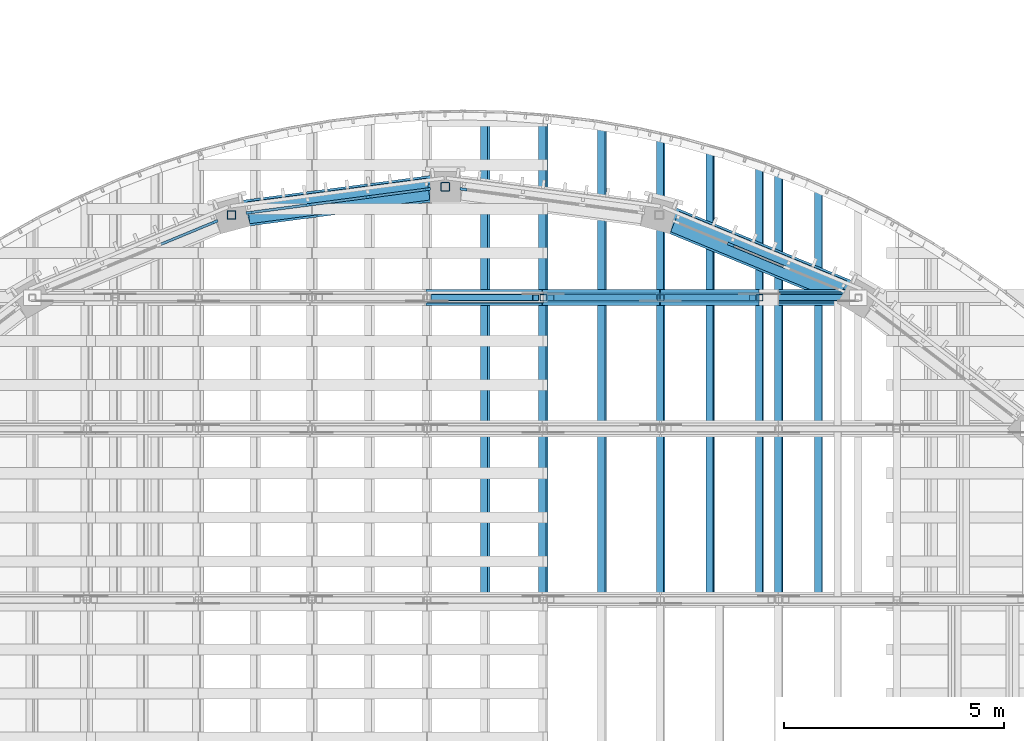
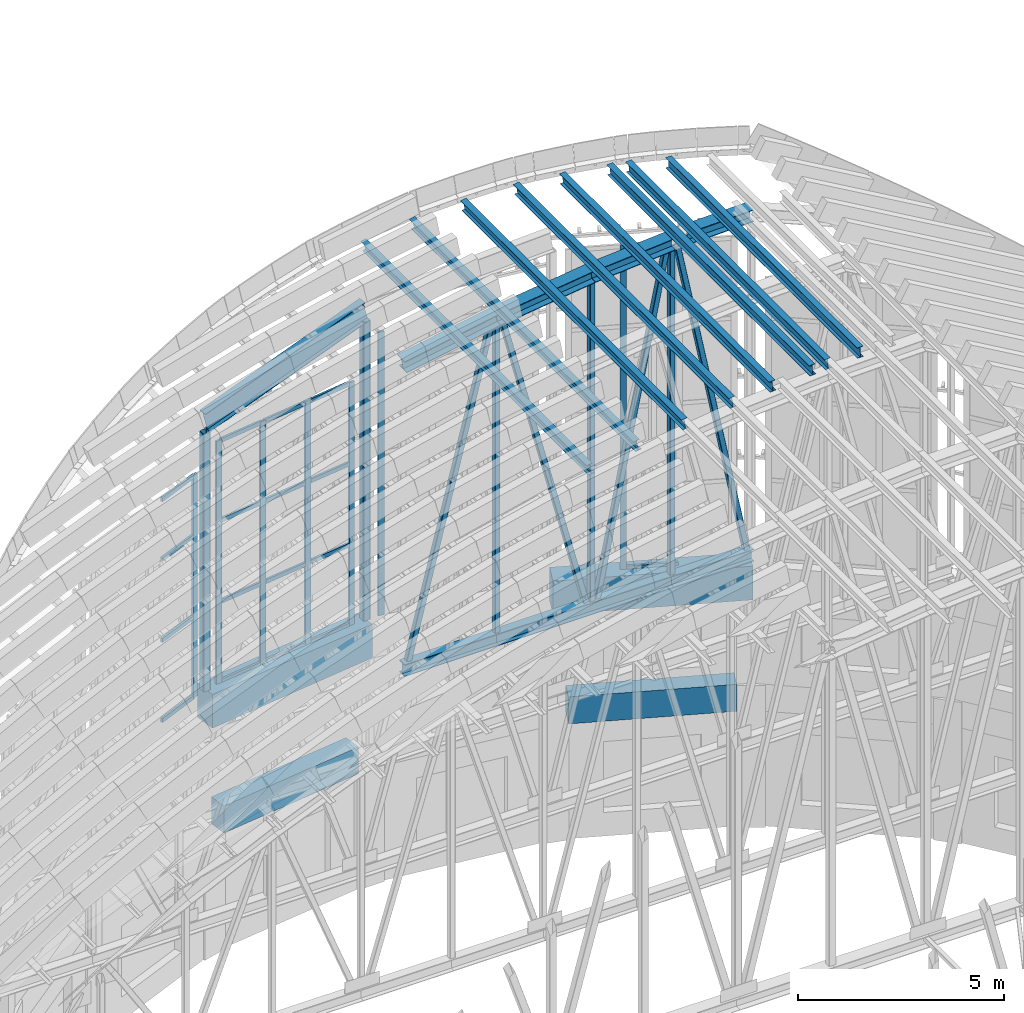
# One storey, part 33 of 105: 48 members, 5 beams, 4 elements without a shape of their own.
"""IFC4 building model written with IfcOpenShell, lengths in metres."""

from ifc_helpers import new_model, si_unit, direction, frame, origin, origin_2d, place, context, subcontext, project, spatial, rectangle, hollow_rectangle, i_section, extrude, material, layer, layer_set, material_profile, profile_set, type_object, element, aggregate, save


model = new_model("IFC4")

# Units and contexts
model_context = context("Model", 3, precision=1e-05, world=origin(), true_north=direction((0.0, 1.0)))
body_context = subcontext(model_context, "Body", "Model", "MODEL_VIEW")
ifc_project = project(units=[si_unit("LENGTHUNIT", "METRE"), si_unit("AREAUNIT", "SQUARE_METRE"), si_unit("VOLUMEUNIT", "CUBIC_METRE"), si_unit("PLANEANGLEUNIT", "RADIAN"), si_unit("MASSUNIT", "GRAM", prefix="KILO")], contexts=[model_context])

# Site, building, storey
site_placement = place(None, origin())
site = spatial("IfcSite", under=ifc_project, at=site_placement, CompositionType="ELEMENT")
building_placement = place(site_placement, origin())
building = spatial("IfcBuilding", under=site, at=building_placement, Name="Wasatch Bagh Community Centre", CompositionType="ELEMENT")
storey_placement = place(building_placement, frame((0.0, 0.0, 16.800048828125)))
storey = spatial("IfcBuildingStorey", under=building, at=storey_placement, Name="L04", CompositionType="ELEMENT", Elevation=16.800048828125)

# Members
ifc_material_1 = material(Name="ASTM A500 Grade C steel", Category="steel")
ifc_material_profile_1 = material_profile(ifc_material_1, hollow_rectangle(XDim=0.15234375, YDim=0.15234375, WallThickness=0.0087890625, InnerFilletRadius=0.0087890625, OuterFilletRadius=0.017822265625, at=origin_2d()), Name="HSS6x6x3/8")
ifc_profile_set_1 = profile_set([ifc_material_profile_1], Name="ASTM A500 Grade C steel")
member_type_1 = type_object("IfcMemberType", Name="HSS6x6x3/8 brace", PredefinedType="BRACE", material=ifc_profile_set_1)
member_1_placement = place(storey_placement, frame((35.75146484375, 81.238037109375, 8.08984375), z_axis=(0.246183437519, 0.0, 0.969223253483), x_axis=(0.0, 1.0, 0.0)))
element("IfcMember", 1, at=member_1_placement, inside=storey, type_object=member_type_1, Name="MH.TN4.WB05", PredefinedType="BRACE", context=body_context, shape_type="SweptSolid", body=[
    extrude(hollow_rectangle(XDim=0.15234375, YDim=0.15234375, WallThickness=0.0087890625, InnerFilletRadius=0.0087890625, OuterFilletRadius=0.017822265625, at=origin_2d()), origin(), (0.0, 0.0, 1.0), 9.349853515625),
])
member_2_placement = place(storey_placement, frame((40.722412109375, 81.238037109375, 8.08984375), z_axis=(-0.247331546252, 0.0, 0.968930908904), x_axis=(0.0, -1.0, 0.0)))
element("IfcMember", 2, at=member_2_placement, inside=storey, type_object=member_type_1, Name="MH.TN4.WB06", PredefinedType="BRACE", context=body_context, shape_type="SweptSolid", body=[
    extrude(hollow_rectangle(XDim=0.15234375, YDim=0.15234375, WallThickness=0.0087890625, InnerFilletRadius=0.0087890625, OuterFilletRadius=0.017822265625, at=origin_2d()), origin(), (0.0, 0.0, 1.0), 9.4326171875),
])
member_3_placement = place(storey_placement, frame((41.043701171875, 81.238037109375, 8.0859375), z_axis=(0.196872033008, 0.0, 0.980429193068), x_axis=(0.0, 1.0, 0.0)))
element("IfcMember", 3, at=member_3_placement, inside=storey, type_object=member_type_1, Name="MH.TN4.WB07", PredefinedType="BRACE", context=body_context, shape_type="SweptSolid", body=[
    extrude(hollow_rectangle(XDim=0.15234375, YDim=0.15234375, WallThickness=0.0087890625, InnerFilletRadius=0.0087890625, OuterFilletRadius=0.017822265625, at=origin_2d()), origin(), (0.0, 0.0, 1.0), 9.81298828125),
])
member_4_placement = place(storey_placement, frame((45.220458984375, 81.238037109375, 8.0859375), z_axis=(-0.196530864384, 0.0, 0.980497638622), x_axis=(0.0, -1.0, 0.0)))
element("IfcMember", 4, at=member_4_placement, inside=storey, type_object=member_type_1, Name="MH.TN4.WB08", PredefinedType="BRACE", context=body_context, shape_type="SweptSolid", body=[
    extrude(hollow_rectangle(XDim=0.15234375, YDim=0.15234375, WallThickness=0.0087890625, InnerFilletRadius=0.0087890625, OuterFilletRadius=0.017822265625, at=origin_2d()), origin(), (0.0, 0.0, 1.0), 9.8486328125),
])
ifc_material_profile_2 = material_profile(ifc_material_1, hollow_rectangle(XDim=0.15234375, YDim=0.15234375, WallThickness=0.0087890625, InnerFilletRadius=0.0087890625, OuterFilletRadius=0.017822265625, at=origin_2d()), Name="HSS6x6x3/8")
ifc_profile_set_2 = profile_set([ifc_material_profile_2], Name="ASTM A500 Grade C steel")
member_type_2 = type_object("IfcMemberType", Name="HSS6x6x3/8 post", PredefinedType="POST", material=ifc_profile_set_2)
member_5_placement = place(storey_placement, frame((38.226318359375, 81.238037109375, 8.070556640625), z_axis=(0.0, 0.0, 1.0), x_axis=(1.0, 0.0, 0.0)))
element("IfcMember", 5, at=member_5_placement, inside=storey, type_object=member_type_2, Name="MH.TN4.PS06", PredefinedType="POST", context=body_context, shape_type="SweptSolid", body=[
    extrude(hollow_rectangle(XDim=0.15234375, YDim=0.15234375, WallThickness=0.0087890625, InnerFilletRadius=0.0087890625, OuterFilletRadius=0.017822265625, at=origin_2d()), origin(), (0.0, 0.0, 1.0), 9.13134765625),
])
member_6_placement = place(storey_placement, frame((40.88916015625, 81.238037109375, 8.070556640625), z_axis=(0.0, 0.0, 1.0), x_axis=(1.0, 0.0, 0.0)))
element("IfcMember", 6, at=member_6_placement, inside=storey, type_object=member_type_2, Name="MH.TN4.PS07", PredefinedType="POST", context=body_context, shape_type="SweptSolid", body=[
    extrude(hollow_rectangle(XDim=0.15234375, YDim=0.15234375, WallThickness=0.0087890625, InnerFilletRadius=0.0087890625, OuterFilletRadius=0.017822265625, at=origin_2d()), origin(), (0.0, 0.0, 1.0), 9.48388671875),
])
member_7_placement = place(storey_placement, frame((43.132080078125, 81.238037109375, 8.070556640625), z_axis=(0.0, 0.0, 1.0), x_axis=(1.0, 0.0, 0.0)))
element("IfcMember", 7, at=member_7_placement, inside=storey, type_object=member_type_2, Name="MH.TN4.PS08", PredefinedType="POST", context=body_context, shape_type="SweptSolid", body=[
    extrude(hollow_rectangle(XDim=0.15234375, YDim=0.15234375, WallThickness=0.0087890625, InnerFilletRadius=0.0087890625, OuterFilletRadius=0.017822265625, at=origin_2d()), origin(), (0.0, 0.0, 1.0), 9.663330078125),
])
ifc_material_profile_3 = material_profile(ifc_material_1, hollow_rectangle(XDim=0.203125, YDim=0.203125, WallThickness=0.01171875, InnerFilletRadius=0.01171875, OuterFilletRadius=0.023681640625, at=origin_2d()), Name="HSS8x8x1/2")
ifc_profile_set_3 = profile_set([ifc_material_profile_3], Name="ASTM A500 Grade C steel")
member_type_3 = type_object("IfcMemberType", Name="HSS8x8x1/2 post", PredefinedType="POST", material=ifc_profile_set_3)
member_8_placement = place(storey_placement, frame((36.0, 83.75, 7.699951171875), z_axis=(0.0, 0.0, 1.0), x_axis=(1.0, 0.0, 0.0)))
element("IfcMember", 8, at=member_8_placement, inside=storey, type_object=member_type_3, Name="MH.TN.PS.N6", PredefinedType="POST", context=body_context, shape_type="SweptSolid", body=[
    extrude(hollow_rectangle(XDim=0.203125, YDim=0.203125, WallThickness=0.01171875, InnerFilletRadius=0.01171875, OuterFilletRadius=0.023681640625, at=origin_2d()), origin(), (0.0, 0.0, 1.0), 8.860107421875),
])
member_9_placement = place(storey_placement, frame((31.147216796875, 83.111083984375, 7.699951171875), z_axis=(0.0, 0.0, 1.0), x_axis=(1.0, 0.0, 0.0)))
element("IfcMember", 9, at=member_9_placement, inside=storey, type_object=member_type_3, Name="MH.TN.PS.N7", PredefinedType="POST", context=body_context, shape_type="SweptSolid", body=[
    extrude(hollow_rectangle(XDim=0.203125, YDim=0.203125, WallThickness=0.01171875, InnerFilletRadius=0.01171875, OuterFilletRadius=0.023681640625, at=origin_2d()), origin(), (0.0, 0.0, 1.0), 7.63330078125),
])

# Curtain wall, member
ifc_material_2 = material(Name="Aluminium curtain wall frame with low-iron glass", Category="aluminium")
ifc_layer_1 = layer(ifc_material_2, 0.10009765625)
ifc_layer_set_1 = layer_set([ifc_layer_1], Name="Aluminium curtain wall frame with low-iron glass")
curtain_wall_type_1 = type_object("IfcCurtainWallType", Name="MH end screen curtain wall 8", PredefinedType="NOTDEFINED", material=ifc_layer_set_1)
curtain_wall_1_placement = place(storey_placement, origin())
curtain_wall_1 = element("IfcCurtainWall", 10, at=curtain_wall_1_placement, inside=storey, type_object=curtain_wall_type_1, Name="End screen 23", PredefinedType="NOTDEFINED")
ifc_material_3 = material(Name="Aluminium extrusion", Category="aluminium")
ifc_material_profile_4 = material_profile(ifc_material_3, rectangle(XDim=0.06005859375, YDim=0.159912109375, at=origin_2d()), Name="AL 60x160")
ifc_profile_set_4 = profile_set([ifc_material_profile_4], Name="Aluminium extrusion")
member_type_4 = type_object("IfcMemberType", Name="MH end screen mullion 60x160", PredefinedType="MULLION", material=ifc_profile_set_4)
member_10_placement = place(storey_placement, frame((42.479248046875, 82.4375, 7.699951171875), z_axis=(0.0, 0.0, 1.0), x_axis=(-0.382683432188, -0.923879532585, 0.0)))
member_10 = element("IfcMember", 11, at=member_10_placement, type_object=member_type_4, Name="MH-CW8 mullion 3", PredefinedType="MULLION", context=body_context, shape_type="SweptSolid", body=[
    extrude(rectangle(XDim=0.06005859375, YDim=0.159912109375, at=origin_2d()), origin(), (0.0, 0.0, 1.0), 9.60009765625),
])

ifc_layer_2 = layer(ifc_material_2, 0.10009765625)
ifc_layer_set_2 = layer_set([ifc_layer_2], Name="Aluminium curtain wall frame with low-iron glass")
curtain_wall_type_2 = type_object("IfcCurtainWallType", Name="MH end screen curtain wall 7", PredefinedType="NOTDEFINED", material=ifc_layer_set_2)
curtain_wall_2_placement = place(storey_placement, origin())
curtain_wall_2 = element("IfcCurtainWall", 12, at=curtain_wall_2_placement, inside=storey, type_object=curtain_wall_type_2, Name="End screen 24", PredefinedType="NOTDEFINED")
member_11_placement = place(storey_placement, frame((36.412841796875, 83.695556640625, 7.699951171875), z_axis=(0.0, 0.0, 1.0), x_axis=(-0.13052619222, -0.991444861374, 0.0)))
member_11 = element("IfcMember", 13, at=member_11_placement, type_object=member_type_4, Name="MH-CW7 mullion 4", PredefinedType="MULLION", context=body_context, shape_type="SweptSolid", body=[
    extrude(rectangle(XDim=0.06005859375, YDim=0.159912109375, at=origin_2d()), origin(), (0.0, 0.0, 1.0), 8.39990234375),
])
aggregate(curtain_wall_2, [member_11])

# Curtain wall, members
ifc_layer_3 = layer(ifc_material_2, 0.10009765625)
ifc_layer_set_3 = layer_set([ifc_layer_3], Name="Aluminium curtain wall frame with low-iron glass")
curtain_wall_type_3 = type_object("IfcCurtainWallType", Name="MH end screen curtain wall 6", PredefinedType="NOTDEFINED", material=ifc_layer_set_3)
curtain_wall_3_placement = place(storey_placement, origin())
curtain_wall_3 = element("IfcCurtainWall", 14, at=curtain_wall_3_placement, inside=storey, type_object=curtain_wall_type_3, Name="End screen 25", PredefinedType="NOTDEFINED")
member_12_placement = place(storey_placement, frame((35.587158203125, 83.695556640625, 7.699951171875), z_axis=(0.0, 0.0, 1.0), x_axis=(0.13052619222, -0.991444861374, 0.0)))
member_12 = element("IfcMember", 15, at=member_12_placement, type_object=member_type_4, Name="MH-CW6 mullion 1", PredefinedType="MULLION", context=body_context, shape_type="SweptSolid", body=[
    extrude(rectangle(XDim=0.06005859375, YDim=0.159912109375, at=origin_2d()), origin(), (0.0, 0.0, 1.0), 7.199951171875),
])
member_13_placement = place(storey_placement, frame((34.254638671875, 83.520263671875, 7.699951171875), z_axis=(0.0, 0.0, 1.0), x_axis=(0.13052619222, -0.991444861374, 0.0)))
member_13 = element("IfcMember", 16, at=member_13_placement, type_object=member_type_4, Name="MH-CW6 mullion 2", PredefinedType="MULLION", context=body_context, shape_type="SweptSolid", body=[
    extrude(rectangle(XDim=0.06005859375, YDim=0.159912109375, at=origin_2d()), origin(), (0.0, 0.0, 1.0), 7.199951171875),
])
member_14_placement = place(storey_placement, frame((32.892578125, 83.3408203125, 7.699951171875), z_axis=(0.0, 0.0, 1.0), x_axis=(0.13052619222, -0.991444861374, 0.0)))
member_14 = element("IfcMember", 17, at=member_14_placement, type_object=member_type_4, Name="MH-CW6 mullion 3", PredefinedType="MULLION", context=body_context, shape_type="SweptSolid", body=[
    extrude(rectangle(XDim=0.06005859375, YDim=0.159912109375, at=origin_2d()), origin(), (0.0, 0.0, 1.0), 7.199951171875),
])
member_15_placement = place(storey_placement, frame((31.56005859375, 83.16552734375, 7.699951171875), z_axis=(0.0, 0.0, 1.0), x_axis=(0.13052619222, -0.991444861374, 0.0)))
member_15 = element("IfcMember", 18, at=member_15_placement, type_object=member_type_4, Name="MH-CW6 mullion 4", PredefinedType="MULLION", context=body_context, shape_type="SweptSolid", body=[
    extrude(rectangle(XDim=0.06005859375, YDim=0.159912109375, at=origin_2d()), origin(), (0.0, 0.0, 1.0), 7.199951171875),
])

# Curtain wall, member
ifc_layer_4 = layer(ifc_material_2, 0.10009765625)
ifc_layer_set_4 = layer_set([ifc_layer_4], Name="Aluminium curtain wall frame with low-iron glass")
curtain_wall_type_4 = type_object("IfcCurtainWallType", Name="MH end screen curtain wall 5", PredefinedType="NOTDEFINED", material=ifc_layer_set_4)
curtain_wall_4_placement = place(storey_placement, origin())
curtain_wall_4 = element("IfcCurtainWall", 19, at=curtain_wall_4_placement, inside=storey, type_object=curtain_wall_type_4, Name="End screen 26", PredefinedType="NOTDEFINED")
member_16_placement = place(storey_placement, frame((30.762451171875, 82.95166015625, 7.699951171875), z_axis=(0.0, 0.0, 1.0), x_axis=(0.382683432188, -0.923879532585, 0.0)))
member_16 = element("IfcMember", 20, at=member_16_placement, type_object=member_type_4, Name="MH-CW5 mullion 1", PredefinedType="MULLION", context=body_context, shape_type="SweptSolid", body=[
    extrude(rectangle(XDim=0.06005859375, YDim=0.159912109375, at=origin_2d()), origin(), (0.0, 0.0, 1.0), 6.60009765625),
])

# Member
ifc_material_profile_5 = material_profile(ifc_material_3, rectangle(XDim=0.06005859375, YDim=0.1201171875, at=origin_2d()), Name="AL 60x120")
ifc_profile_set_5 = profile_set([ifc_material_profile_5], Name="Aluminium extrusion")
member_type_5 = type_object("IfcMemberType", Name="MH end screen transom 60x120", PredefinedType="USERDEFINED", material=ifc_profile_set_5)
member_17_placement = place(storey_placement, frame((43.720947265625, 81.923095703125, 7.72998046875), z_axis=(-0.923844700065, 0.382767514508, 0.0), x_axis=(-0.382767514508, -0.923844700065, 0.0)))
member_17 = element("IfcMember", 21, at=member_17_placement, type_object=member_type_5, Name="MH-CW8 transom 2.1", ObjectType="TRANSOM", PredefinedType="USERDEFINED", context=body_context, shape_type="SweptSolid", body=[
    extrude(rectangle(XDim=0.06005859375, YDim=0.1201171875, at=origin_2d()), origin(), (0.0, 0.0, 1.0), 1.31396484375),
])

aggregate(curtain_wall_1, [member_10, member_17])

member_18_placement = place(storey_placement, frame((35.557373046875, 83.691650390625, 7.72998046875), z_axis=(-0.991455589929, -0.130444674855, 0.0), x_axis=(0.130444674855, -0.991455589929, 0.0)))
member_18 = element("IfcMember", 22, at=member_18_placement, type_object=member_type_5, Name="MH-CW6 transom 1.1", ObjectType="TRANSOM", PredefinedType="USERDEFINED", context=body_context, shape_type="SweptSolid", body=[
    extrude(rectangle(XDim=0.06005859375, YDim=0.1201171875, at=origin_2d()), origin(), (0.0, 0.0, 1.0), 1.283935546875),
])

member_19_placement = place(storey_placement, frame((35.557373046875, 83.691650390625, 10.099853515625), z_axis=(-0.991455589929, -0.130444674855, 0.0), x_axis=(0.130444674855, -0.991455589929, 0.0)))
member_19 = element("IfcMember", 23, at=member_19_placement, type_object=member_type_5, Name="MH-CW6 transom 1.2", ObjectType="TRANSOM", PredefinedType="USERDEFINED", context=body_context, shape_type="SweptSolid", body=[
    extrude(rectangle(XDim=0.06005859375, YDim=0.1201171875, at=origin_2d()), origin(), (0.0, 0.0, 1.0), 1.283935546875),
])

member_20_placement = place(storey_placement, frame((35.557373046875, 83.691650390625, 12.5), z_axis=(-0.991455589929, -0.130444674855, 0.0), x_axis=(0.130444674855, -0.991455589929, 0.0)))
member_20 = element("IfcMember", 24, at=member_20_placement, type_object=member_type_5, Name="MH-CW6 transom 1.3", ObjectType="TRANSOM", PredefinedType="USERDEFINED", context=body_context, shape_type="SweptSolid", body=[
    extrude(rectangle(XDim=0.06005859375, YDim=0.1201171875, at=origin_2d()), origin(), (0.0, 0.0, 1.0), 1.283935546875),
])

member_21_placement = place(storey_placement, frame((35.557373046875, 83.691650390625, 14.869873046875), z_axis=(-0.991455589929, -0.130444674855, 0.0), x_axis=(0.130444674855, -0.991455589929, 0.0)))
member_21 = element("IfcMember", 25, at=member_21_placement, type_object=member_type_5, Name="MH-CW6 transom 1.4", ObjectType="TRANSOM", PredefinedType="USERDEFINED", context=body_context, shape_type="SweptSolid", body=[
    extrude(rectangle(XDim=0.06005859375, YDim=0.1201171875, at=origin_2d()), origin(), (0.0, 0.0, 1.0), 1.283935546875),
])

member_22_placement = place(storey_placement, frame((34.224853515625, 83.516357421875, 7.72998046875), z_axis=(-0.991432780287, -0.130617924389, 0.0), x_axis=(0.130617924389, -0.991432780287, 0.0)))
member_22 = element("IfcMember", 26, at=member_22_placement, type_object=member_type_5, Name="MH-CW6 transom 2.1", ObjectType="TRANSOM", PredefinedType="USERDEFINED", context=body_context, shape_type="SweptSolid", body=[
    extrude(rectangle(XDim=0.06005859375, YDim=0.1201171875, at=origin_2d()), origin(), (0.0, 0.0, 1.0), 1.31396484375),
])

member_23_placement = place(storey_placement, frame((34.224853515625, 83.516357421875, 10.099853515625), z_axis=(-0.991432780287, -0.130617924389, 0.0), x_axis=(0.130617924389, -0.991432780287, 0.0)))
member_23 = element("IfcMember", 27, at=member_23_placement, type_object=member_type_5, Name="MH-CW6 transom 2.2", ObjectType="TRANSOM", PredefinedType="USERDEFINED", context=body_context, shape_type="SweptSolid", body=[
    extrude(rectangle(XDim=0.06005859375, YDim=0.1201171875, at=origin_2d()), origin(), (0.0, 0.0, 1.0), 1.31396484375),
])

member_24_placement = place(storey_placement, frame((34.224853515625, 83.516357421875, 12.5), z_axis=(-0.991432780287, -0.130617924389, 0.0), x_axis=(0.130617924389, -0.991432780287, 0.0)))
member_24 = element("IfcMember", 28, at=member_24_placement, type_object=member_type_5, Name="MH-CW6 transom 2.3", ObjectType="TRANSOM", PredefinedType="USERDEFINED", context=body_context, shape_type="SweptSolid", body=[
    extrude(rectangle(XDim=0.06005859375, YDim=0.1201171875, at=origin_2d()), origin(), (0.0, 0.0, 1.0), 1.31396484375),
])

member_25_placement = place(storey_placement, frame((34.224853515625, 83.516357421875, 14.869873046875), z_axis=(-0.991432780287, -0.130617924389, 0.0), x_axis=(0.130617924389, -0.991432780287, 0.0)))
member_25 = element("IfcMember", 29, at=member_25_placement, type_object=member_type_5, Name="MH-CW6 transom 2.4", ObjectType="TRANSOM", PredefinedType="USERDEFINED", context=body_context, shape_type="SweptSolid", body=[
    extrude(rectangle(XDim=0.06005859375, YDim=0.1201171875, at=origin_2d()), origin(), (0.0, 0.0, 1.0), 1.31396484375),
])

member_26_placement = place(storey_placement, frame((32.86279296875, 83.3369140625, 7.72998046875), z_axis=(-0.991455589929, -0.130444674855, 0.0), x_axis=(0.130444674855, -0.991455589929, 0.0)))
member_26 = element("IfcMember", 30, at=member_26_placement, type_object=member_type_5, Name="MH-CW6 transom 3.1", ObjectType="TRANSOM", PredefinedType="USERDEFINED", context=body_context, shape_type="SweptSolid", body=[
    extrude(rectangle(XDim=0.06005859375, YDim=0.1201171875, at=origin_2d()), origin(), (0.0, 0.0, 1.0), 1.283935546875),
])

member_27_placement = place(storey_placement, frame((32.86279296875, 83.3369140625, 10.099853515625), z_axis=(-0.991455589929, -0.130444674855, 0.0), x_axis=(0.130444674855, -0.991455589929, 0.0)))
member_27 = element("IfcMember", 31, at=member_27_placement, type_object=member_type_5, Name="MH-CW6 transom 3.2", ObjectType="TRANSOM", PredefinedType="USERDEFINED", context=body_context, shape_type="SweptSolid", body=[
    extrude(rectangle(XDim=0.06005859375, YDim=0.1201171875, at=origin_2d()), origin(), (0.0, 0.0, 1.0), 1.283935546875),
])

member_28_placement = place(storey_placement, frame((32.86279296875, 83.3369140625, 12.5), z_axis=(-0.991455589929, -0.130444674855, 0.0), x_axis=(0.130444674855, -0.991455589929, 0.0)))
member_28 = element("IfcMember", 32, at=member_28_placement, type_object=member_type_5, Name="MH-CW6 transom 3.3", ObjectType="TRANSOM", PredefinedType="USERDEFINED", context=body_context, shape_type="SweptSolid", body=[
    extrude(rectangle(XDim=0.06005859375, YDim=0.1201171875, at=origin_2d()), origin(), (0.0, 0.0, 1.0), 1.283935546875),
])

member_29_placement = place(storey_placement, frame((32.86279296875, 83.3369140625, 14.869873046875), z_axis=(-0.991455589929, -0.130444674855, 0.0), x_axis=(0.130444674855, -0.991455589929, 0.0)))
member_29 = element("IfcMember", 33, at=member_29_placement, type_object=member_type_5, Name="MH-CW6 transom 3.4", ObjectType="TRANSOM", PredefinedType="USERDEFINED", context=body_context, shape_type="SweptSolid", body=[
    extrude(rectangle(XDim=0.06005859375, YDim=0.1201171875, at=origin_2d()), origin(), (0.0, 0.0, 1.0), 1.283935546875),
])

aggregate(curtain_wall_3, [member_12, member_13, member_14, member_15, member_18, member_19, member_20, member_21, member_22, member_23, member_24, member_25, member_26, member_27, member_28, member_29])

member_30_placement = place(storey_placement, frame((30.734619140625, 82.940185546875, 7.72998046875), z_axis=(-0.923896306793, -0.382642933155, 0.0), x_axis=(0.382642933155, -0.923896306793, 0.0)))
member_30 = element("IfcMember", 34, at=member_30_placement, type_object=member_type_5, Name="MH-CW5 transom 1.1", ObjectType="TRANSOM", PredefinedType="USERDEFINED", context=body_context, shape_type="SweptSolid", body=[
    extrude(rectangle(XDim=0.06005859375, YDim=0.1201171875, at=origin_2d()), origin(), (0.0, 0.0, 1.0), 1.28369140625),
])

member_31_placement = place(storey_placement, frame((30.734619140625, 82.940185546875, 10.099853515625), z_axis=(-0.923896306793, -0.382642933155, 0.0), x_axis=(0.382642933155, -0.923896306793, 0.0)))
member_31 = element("IfcMember", 35, at=member_31_placement, type_object=member_type_5, Name="MH-CW5 transom 1.2", ObjectType="TRANSOM", PredefinedType="USERDEFINED", context=body_context, shape_type="SweptSolid", body=[
    extrude(rectangle(XDim=0.06005859375, YDim=0.1201171875, at=origin_2d()), origin(), (0.0, 0.0, 1.0), 1.28369140625),
])

member_32_placement = place(storey_placement, frame((30.734619140625, 82.940185546875, 12.5), z_axis=(-0.923896306793, -0.382642933155, 0.0), x_axis=(0.382642933155, -0.923896306793, 0.0)))
member_32 = element("IfcMember", 36, at=member_32_placement, type_object=member_type_5, Name="MH-CW5 transom 1.3", ObjectType="TRANSOM", PredefinedType="USERDEFINED", context=body_context, shape_type="SweptSolid", body=[
    extrude(rectangle(XDim=0.06005859375, YDim=0.1201171875, at=origin_2d()), origin(), (0.0, 0.0, 1.0), 1.28369140625),
])

member_33_placement = place(storey_placement, frame((30.734619140625, 82.940185546875, 14.27001953125), z_axis=(-0.923896306793, -0.382642933155, 0.0), x_axis=(0.382642933155, -0.923896306793, 0.0)))
member_33 = element("IfcMember", 37, at=member_33_placement, type_object=member_type_5, Name="MH-CW5 transom 1.4", ObjectType="TRANSOM", PredefinedType="USERDEFINED", context=body_context, shape_type="SweptSolid", body=[
    extrude(rectangle(XDim=0.06005859375, YDim=0.1201171875, at=origin_2d()), origin(), (0.0, 0.0, 1.0), 1.28369140625),
])

aggregate(curtain_wall_4, [member_16, member_30, member_31, member_32, member_33])

# Beams
ifc_material_4 = material(Name="ASTM A992 Grade 50 steel", Category="steel")
ifc_material_profile_6 = material_profile(ifc_material_4, i_section(OverallWidth=0.228271484375, OverallDepth=0.607177734375, WebThickness=0.01123046875, FlangeThickness=0.017333984375, at=origin_2d()), Name="W24x76")
ifc_profile_set_6 = profile_set([ifc_material_profile_6], Name="ASTM A992 Grade 50 steel")
beam_type_1 = type_object("IfcBeamType", Name="MH girder W24x76", PredefinedType="BEAM", material=ifc_profile_set_6)
beam_placement = place(storey_placement, frame((36.0, 83.75, 16.866455078125), z_axis=(-0.961685197671, -0.126615191543, -0.243166967022), x_axis=(0.130533218363, -0.991443936339, 0.0)))
element("IfcBeam", 38, at=beam_placement, inside=storey, type_object=beam_type_1, Name="MH.TN.GD2", PredefinedType="BEAM", context=body_context, shape_type="SweptSolid", body=[
    extrude(i_section(OverallWidth=0.228271484375, OverallDepth=0.607177734375, WebThickness=0.01123046875, FlangeThickness=0.017333984375, at=origin_2d()), origin(), (0.0, 0.0, 1.0), 5.046142578125),
])
ifc_material_5 = material(Name="Concrete C35", Category="concrete")
ifc_material_profile_7 = material_profile(ifc_material_5, rectangle(XDim=0.5, YDim=0.800048828125, at=origin_2d()), Name="RC 500x800")
ifc_profile_set_7 = profile_set([ifc_material_profile_7], Name="Concrete C35")
beam_type_2 = type_object("IfcBeamType", Name="MH ring beam RC 500x800", PredefinedType="BEAM", material=ifc_profile_set_7)
for number, where, z_axis, x_axis, name in (
    (39, (45.01806640625, 81.3857421875, 3.800048828125), (-0.923877504262, 0.382688328955, 0.0), (-0.382688328955, -0.923877504262, 0.0), "Ring beam 21.0 N4-N5"),
    (40, (35.616943359375, 83.699462890625, 3.800048828125), (-0.991450464722, -0.130483623501, 0.0), (0.130483623501, -0.991450464722, 0.0), "Ring beam 21.0 N6-N7"),
):
    element("IfcBeam", number, at=place(storey_placement, frame(where, z_axis=z_axis, x_axis=x_axis)), inside=storey, type_object=beam_type_2, Name=name, PredefinedType="BEAM", context=body_context, shape_type="SweptSolid", body=[
        extrude(rectangle(XDim=0.5, YDim=0.800048828125, at=origin_2d()), origin(), (0.0, 0.0, 1.0), 4.121826171875),
    ])
ifc_material_profile_8 = material_profile(ifc_material_5, rectangle(XDim=0.60009765625, YDim=1.0, at=origin_2d()), Name="RC 600x1000")
ifc_profile_set_8 = profile_set([ifc_material_profile_8], Name="Concrete C35")
beam_type_3 = type_object("IfcBeamType", Name="MH ring beam RC 600x1000", PredefinedType="BEAM", material=ifc_profile_set_8)
for number, where, z_axis, x_axis, name in (
    (41, (45.375, 81.238037109375, 7.199951171875), (-0.923887958328, 0.382663090012, 0.0), (-0.382663090012, -0.923887958328, 0.0), "Ring beam 24.5 N4-N5"),
    (42, (36.0, 83.75, 7.199951171875), (-0.991443936339, -0.130533218363, 0.0), (0.130533218363, -0.991443936339, 0.0), "Ring beam 24.5 N6-N7"),
):
    element("IfcBeam", number, at=place(storey_placement, frame(where, z_axis=z_axis, x_axis=x_axis)), inside=storey, type_object=beam_type_3, Name=name, PredefinedType="BEAM", context=body_context, shape_type="SweptSolid", body=[
        extrude(rectangle(XDim=0.60009765625, YDim=1.0, at=origin_2d()), origin(), (0.0, 0.0, 1.0), 4.894775390625),
    ])

# Members
ifc_material_profile_9 = material_profile(ifc_material_4, i_section(OverallWidth=0.164794921875, OverallDepth=0.309814453125, WebThickness=0.005859375, FlangeThickness=0.009765625, at=origin_2d()), Name="W12x26")
ifc_profile_set_9 = profile_set([ifc_material_profile_9], Name="ASTM A992 Grade 50 steel")
member_type_6 = type_object("IfcMemberType", Name="W12x26 rafter", PredefinedType="RAFTER", material=ifc_profile_set_9)
member_34_placement = place(storey_placement, frame((36.90576171875, 85.34375, 17.492919921875), z_axis=(0.0, -1.0, 0.0), x_axis=(0.983711293114, 0.0, 0.179755644695)))
element("IfcMember", 43, at=member_34_placement, inside=storey, type_object=member_type_6, Name="MH.TN.RF11", PredefinedType="RAFTER", context=body_context, shape_type="SweptSolid", body=[
    extrude(i_section(OverallWidth=0.164794921875, OverallDepth=0.309814453125, WebThickness=0.005859375, FlangeThickness=0.009765625, at=origin_2d()), origin(), (0.0, 0.0, 1.0), 10.96875),
])
member_35_placement = place(storey_placement, frame((38.226318359375, 85.267822265625, 17.72900390625), z_axis=(0.0, -1.0, 0.0), x_axis=(0.983711293114, 0.0, 0.179755644695)))
element("IfcMember", 44, at=member_35_placement, inside=storey, type_object=member_type_6, Name="MH.TN.RF12", PredefinedType="RAFTER", context=body_context, shape_type="SweptSolid", body=[
    extrude(i_section(OverallWidth=0.164794921875, OverallDepth=0.309814453125, WebThickness=0.005859375, FlangeThickness=0.009765625, at=origin_2d()), origin(), (0.0, 0.0, 1.0), 10.892822265625),
])
member_36_placement = place(storey_placement, frame((39.5576171875, 85.103515625, 17.906005859375), z_axis=(0.0, -1.0, 0.0), x_axis=(0.9916783427, 0.0, 0.128740299126)))
element("IfcMember", 45, at=member_36_placement, inside=storey, type_object=member_type_6, Name="MH.TN.RF13", PredefinedType="RAFTER", context=body_context, shape_type="SweptSolid", body=[
    extrude(i_section(OverallWidth=0.164794921875, OverallDepth=0.309814453125, WebThickness=0.005859375, FlangeThickness=0.009765625, at=origin_2d()), origin(), (0.0, 0.0, 1.0), 10.728515625),
])
member_37_placement = place(storey_placement, frame((40.88916015625, 84.8486328125, 18.07373046875), z_axis=(0.0, -1.0, 0.0), x_axis=(0.9916783427, 0.0, 0.128740299126)))
element("IfcMember", 46, at=member_37_placement, inside=storey, type_object=member_type_6, Name="MH.TN.RF14", PredefinedType="RAFTER", context=body_context, shape_type="SweptSolid", body=[
    extrude(i_section(OverallWidth=0.164794921875, OverallDepth=0.309814453125, WebThickness=0.005859375, FlangeThickness=0.009765625, at=origin_2d()), origin(), (0.0, 0.0, 1.0), 10.4736328125),
])
member_38_placement = place(storey_placement, frame((42.010498046875, 84.561279296875, 18.1650390625), z_axis=(0.0, -1.0, 0.0), x_axis=(0.997001538789, 0.0, 0.077381726869)))
element("IfcMember", 47, at=member_38_placement, inside=storey, type_object=member_type_6, Name="MH.TN.RF15", PredefinedType="RAFTER", context=body_context, shape_type="SweptSolid", body=[
    extrude(i_section(OverallWidth=0.164794921875, OverallDepth=0.309814453125, WebThickness=0.005859375, FlangeThickness=0.009765625, at=origin_2d()), origin(), (0.0, 0.0, 1.0), 10.186279296875),
])
member_39_placement = place(storey_placement, frame((43.132080078125, 84.204345703125, 18.251953125), z_axis=(0.0, -1.0, 0.0), x_axis=(0.997001538789, 0.0, 0.077381726869)))
element("IfcMember", 48, at=member_39_placement, inside=storey, type_object=member_type_6, Name="MH.TN.RF16", PredefinedType="RAFTER", context=body_context, shape_type="SweptSolid", body=[
    extrude(i_section(OverallWidth=0.164794921875, OverallDepth=0.309814453125, WebThickness=0.005859375, FlangeThickness=0.009765625, at=origin_2d()), origin(), (0.0, 0.0, 1.0), 9.829345703125),
])
member_40_placement = place(storey_placement, frame((43.56591796875, 84.046630859375, 18.28125), z_axis=(0.0, -1.0, 0.0), x_axis=(0.997001538789, 0.0, 0.077381726869)))
element("IfcMember", 49, at=member_40_placement, inside=storey, type_object=member_type_6, Name="MH.TN.RF17", PredefinedType="RAFTER", context=body_context, shape_type="SweptSolid", body=[
    extrude(i_section(OverallWidth=0.164794921875, OverallDepth=0.309814453125, WebThickness=0.005859375, FlangeThickness=0.009765625, at=origin_2d()), origin(), (0.0, 0.0, 1.0), 9.671630859375),
])
member_41_placement = place(storey_placement, frame((44.470458984375, 83.68115234375, 18.30859375), z_axis=(0.0, -1.0, 0.0), x_axis=(0.999666689532, 0.0, 0.025816851865)))
element("IfcMember", 50, at=member_41_placement, inside=storey, type_object=member_type_6, Name="MH.TN.RF18", PredefinedType="RAFTER", context=body_context, shape_type="SweptSolid", body=[
    extrude(i_section(OverallWidth=0.164794921875, OverallDepth=0.309814453125, WebThickness=0.005859375, FlangeThickness=0.009765625, at=origin_2d()), origin(), (0.0, 0.0, 1.0), 9.30615234375),
])
ifc_material_profile_10 = material_profile(ifc_material_4, i_section(OverallWidth=0.25390625, OverallDepth=0.355712890625, WebThickness=0.010498046875, FlangeThickness=0.018310546875, at=origin_2d()), Name="W14x68")
ifc_profile_set_10 = profile_set([ifc_material_profile_10], Name="ASTM A992 Grade 50 steel")
member_type_7 = type_object("IfcMemberType", Name="W14x68 chord", PredefinedType="CHORD", material=ifc_profile_set_10)
member_42_placement = place(storey_placement, frame((35.585205078125, 81.238037109375, 7.892822265625), z_axis=(1.0, 0.0, 0.0), x_axis=(0.0, 1.0, 0.0)))
element("IfcMember", 51, at=member_42_placement, inside=storey, type_object=member_type_7, Name="MH.TN4.BC05", PredefinedType="CHORD", context=body_context, shape_type="SweptSolid", body=[
    extrude(i_section(OverallWidth=0.25390625, OverallDepth=0.355712890625, WebThickness=0.010498046875, FlangeThickness=0.018310546875, at=origin_2d()), origin(), (0.0, 0.0, 1.0), 2.64111328125),
])
member_43_placement = place(storey_placement, frame((38.226318359375, 81.238037109375, 7.892822265625), z_axis=(1.0, 0.0, 0.0), x_axis=(0.0, 1.0, 0.0)))
element("IfcMember", 52, at=member_43_placement, inside=storey, type_object=member_type_7, Name="MH.TN4.BC06", PredefinedType="CHORD", context=body_context, shape_type="SweptSolid", body=[
    extrude(i_section(OverallWidth=0.25390625, OverallDepth=0.355712890625, WebThickness=0.010498046875, FlangeThickness=0.018310546875, at=origin_2d()), origin(), (0.0, 0.0, 1.0), 4.90576171875),
])
member_44_placement = place(storey_placement, frame((43.132080078125, 81.238037109375, 7.892822265625), z_axis=(1.0, 0.0, 0.0), x_axis=(0.0, 1.0, 0.0)))
element("IfcMember", 53, at=member_44_placement, inside=storey, type_object=member_type_7, Name="MH.TN4.BC08", PredefinedType="CHORD", context=body_context, shape_type="SweptSolid", body=[
    extrude(i_section(OverallWidth=0.25390625, OverallDepth=0.355712890625, WebThickness=0.010498046875, FlangeThickness=0.018310546875, at=origin_2d()), origin(), (0.0, 0.0, 1.0), 2.242919921875),
])
ifc_material_profile_11 = material_profile(ifc_material_4, i_section(OverallWidth=0.368408203125, OverallDepth=0.355712890625, WebThickness=0.01123046875, FlangeThickness=0.01806640625, at=origin_2d()), Name="W14x90")
ifc_profile_set_11 = profile_set([ifc_material_profile_11], Name="ASTM A992 Grade 50 steel")
member_type_8 = type_object("IfcMemberType", Name="W14x90 chord", PredefinedType="CHORD", material=ifc_profile_set_11)
for number, where, z_axis, x_axis, name in (
    (54, (35.59033203125, 81.238037109375, 16.913818359375), (0.983603049686, 0.0, 0.180347000666), (0.0, 1.0, 0.0), "MH.TN4.TC07"),
    (55, (38.2314453125, 81.238037109375, 17.39794921875), (0.991625838438, 0.0, 0.129144092167), (0.0, 1.0, 0.0), "MH.TN4.TC08"),
):
    element("IfcMember", number, at=place(storey_placement, frame(where, z_axis=z_axis, x_axis=x_axis)), inside=storey, type_object=member_type_8, Name=name, PredefinedType="CHORD", context=body_context, shape_type="SweptSolid", body=[
        extrude(i_section(OverallWidth=0.368408203125, OverallDepth=0.355712890625, WebThickness=0.01123046875, FlangeThickness=0.01806640625, at=origin_2d()), origin(), (0.0, 0.0, 1.0), 2.675048828125),
    ])
member_45_placement = place(storey_placement, frame((40.89404296875, 81.238037109375, 17.74462890625), z_axis=(0.996995967243, 0.0, 0.077453478306), x_axis=(0.0, 1.0, 0.0)))
element("IfcMember", 56, at=member_45_placement, inside=storey, type_object=member_type_8, Name="MH.TN4.TC09", PredefinedType="CHORD", context=body_context, shape_type="SweptSolid", body=[
    extrude(i_section(OverallWidth=0.368408203125, OverallDepth=0.355712890625, WebThickness=0.01123046875, FlangeThickness=0.01806640625, at=origin_2d()), origin(), (0.0, 0.0, 1.0), 2.244384765625),
])
member_46_placement = place(storey_placement, frame((43.5712890625, 81.238037109375, 17.95263671875), z_axis=(0.999703840423, 0.0, 0.024335805797), x_axis=(0.0, 1.0, 0.0)))
element("IfcMember", 57, at=member_46_placement, inside=storey, type_object=member_type_8, Name="MH.TN4.TC11", PredefinedType="CHORD", context=body_context, shape_type="SweptSolid", body=[
    extrude(i_section(OverallWidth=0.368408203125, OverallDepth=0.355712890625, WebThickness=0.01123046875, FlangeThickness=0.01806640625, at=origin_2d()), origin(), (0.0, 0.0, 1.0), 1.765625),
])

save(model, "model.ifc")
